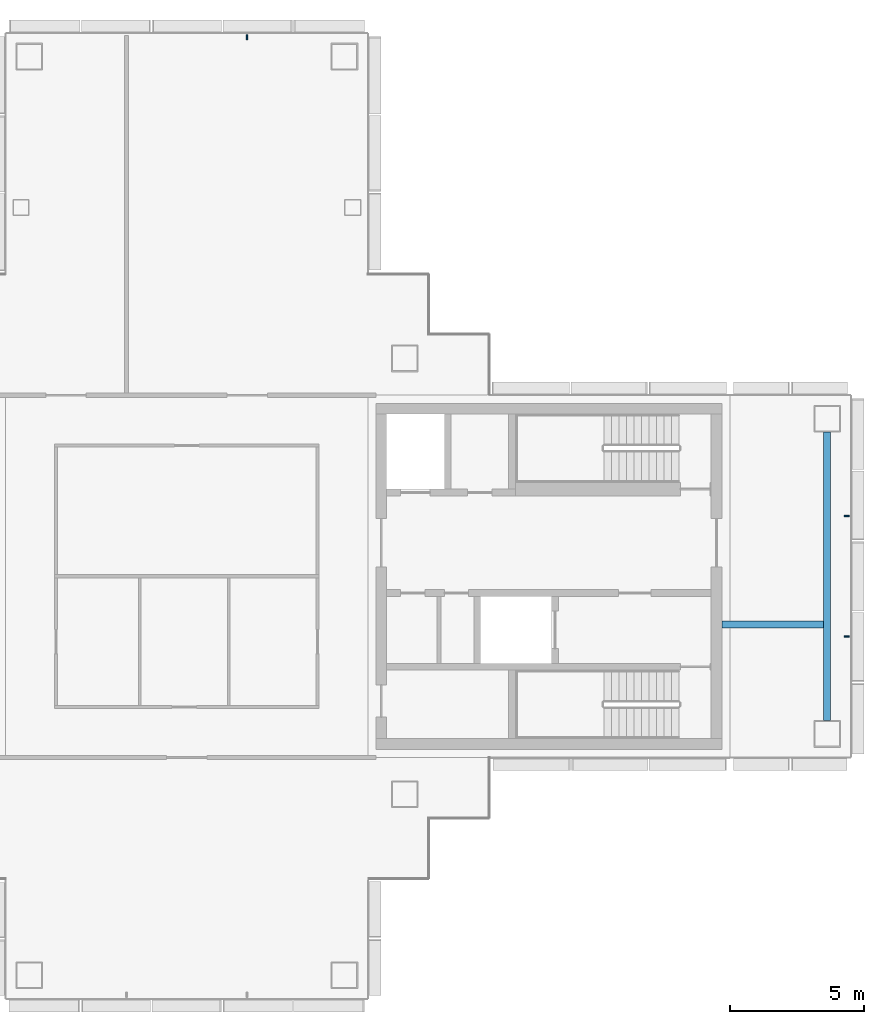
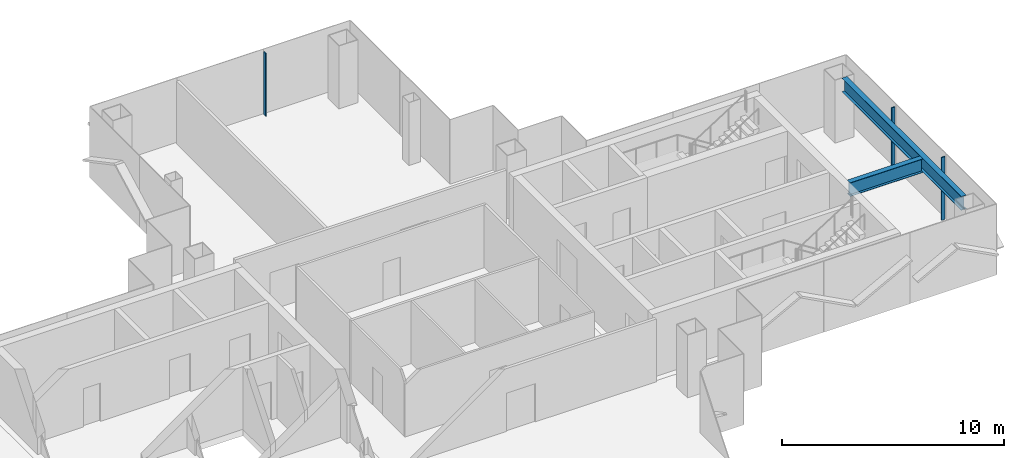
# One storey, part 6 of 17: 3 members, 2 beams, 2 elements without a shape of their own.
"""IFC4 building model written with IfcOpenShell, lengths in metres."""

from ifc_helpers import new_model, si_unit, direction, frame, origin, origin_2d, place, context, subcontext, project, spatial, rectangle, i_section, extrude, material, layer, layer_set, material_profile, profile_set, type_object, element, aggregate, save


model = new_model("IFC4")

# Units and contexts
model_context = context("Model", 3, precision=1e-05, world=origin(), true_north=direction((0.0, 1.0)))
body_context = subcontext(model_context, "Body", "Model", "MODEL_VIEW")
ifc_project = project(units=[si_unit("LENGTHUNIT", "METRE"), si_unit("AREAUNIT", "SQUARE_METRE"), si_unit("VOLUMEUNIT", "CUBIC_METRE"), si_unit("PLANEANGLEUNIT", "RADIAN"), si_unit("MASSUNIT", "GRAM", prefix="KILO")], contexts=[model_context])

# Site, building, storey
site_placement = place(None, origin())
site = spatial("IfcSite", under=ifc_project, at=site_placement, CompositionType="ELEMENT")
building_placement = place(site_placement, origin())
building = spatial("IfcBuilding", under=site, at=building_placement, Name="Shamsa Quay Exchange Towers", CompositionType="ELEMENT")
storey_placement = place(building_placement, frame((0.0, 0.0, 221.699951171875)))
storey = spatial("IfcBuildingStorey", under=building, at=storey_placement, Name="L53", CompositionType="ELEMENT", Elevation=221.699951171875)

# Curtain wall, members
ifc_material_1 = material(Name="Aluminium EN AW-6063 T6, black anodised", Category="aluminium")
ifc_layer = layer(ifc_material_1, 0.280029296875)
ifc_layer_set = layer_set([ifc_layer], Name="CW-1 UNITISED VISION GLASS")
curtain_wall_type = type_object("IfcCurtainWallType", Name="CW-1 UNITISED VISION GLASS", PredefinedType="NOTDEFINED", material=ifc_layer_set)
curtain_wall_1_placement = place(storey_placement, origin())
curtain_wall_1 = element("IfcCurtainWall", 1, at=curtain_wall_1_placement, inside=storey, type_object=curtain_wall_type, Name="CW1 T2-END-V- L53", PredefinedType="NOTDEFINED")
ifc_material_profile_1 = material_profile(ifc_material_1, rectangle(XDim=0.179931640625, YDim=0.06005859375, at=origin_2d()), Name="MU60x180")
ifc_profile_set_1 = profile_set([ifc_material_profile_1], Name="Aluminium EN AW-6063 T6, black anodised")
member_type = type_object("IfcMemberType", Name="CW1 MULLION 60x180", PredefinedType="MULLION", material=ifc_profile_set_1)
member_1_placement = place(storey_placement, frame((58.35009765625, -2.25, 0.0), z_axis=(0.0, 0.0, 1.0), x_axis=(-1.0, 0.0, 0.0)))
member_1 = element("IfcMember", 2, at=member_1_placement, type_object=member_type, Name="CW1 mullion", PredefinedType="MULLION", context=body_context, shape_type="SweptSolid", body=[
    extrude(rectangle(XDim=0.179931640625, YDim=0.06005859375, at=origin_2d()), origin(), (0.0, 0.0, 1.0), 3.449951171875),
])
member_2_placement = place(storey_placement, frame((58.35009765625, 2.25, 0.0), z_axis=(0.0, 0.0, 1.0), x_axis=(-1.0, 0.0, 0.0)))
member_2 = element("IfcMember", 3, at=member_2_placement, type_object=member_type, Name="CW1 mullion", PredefinedType="MULLION", context=body_context, shape_type="SweptSolid", body=[
    extrude(rectangle(XDim=0.179931640625, YDim=0.06005859375, at=origin_2d()), origin(), (0.0, 0.0, 1.0), 3.449951171875),
])
aggregate(curtain_wall_1, [member_1, member_2])

# Curtain wall, member
curtain_wall_2_placement = place(storey_placement, origin())
curtain_wall_2 = element("IfcCurtainWall", 4, at=curtain_wall_2_placement, inside=storey, type_object=curtain_wall_type, Name="CW1 T2-END-U+ L53", PredefinedType="NOTDEFINED")
member_3_placement = place(storey_placement, frame((36.0, 20.10009765625, 0.0), z_axis=(0.0, 0.0, 1.0), x_axis=(0.0, -1.0, 0.0)))
member_3 = element("IfcMember", 5, at=member_3_placement, type_object=member_type, Name="CW1 mullion", PredefinedType="MULLION", context=body_context, shape_type="SweptSolid", body=[
    extrude(rectangle(XDim=0.179931640625, YDim=0.06005859375, at=origin_2d()), origin(), (0.0, 0.0, 1.0), 3.449951171875),
])
aggregate(curtain_wall_2, [member_3])

# Beams
ifc_material_2 = material(Name="Steel S355", Category="steel")
ifc_material_profile_2 = material_profile(ifc_material_2, i_section(OverallWidth=0.26611328125, OverallDepth=0.7578125, WebThickness=0.013916015625, FlangeThickness=0.019287109375, at=origin_2d()), Name="W30x108")
ifc_profile_set_2 = profile_set([ifc_material_profile_2], Name="Steel S355")
beam_type = type_object("IfcBeamType", Name="End-zone beam W30x108", PredefinedType="BEAM", material=ifc_profile_set_2)
beam_1_placement = place(storey_placement, frame((57.625, -5.375, 3.0712890625), z_axis=(0.0, 1.0, 0.0), x_axis=(-1.0, 0.0, 0.0)))
element("IfcBeam", 6, at=beam_1_placement, inside=storey, type_object=beam_type, Name="End beam T2 V- end zone L53", PredefinedType="BEAM", context=body_context, shape_type="SweptSolid", body=[
    extrude(i_section(OverallWidth=0.26611328125, OverallDepth=0.7578125, WebThickness=0.013916015625, FlangeThickness=0.019287109375, at=origin_2d()), origin(), (0.0, 0.0, 1.0), 10.75),
])
beam_2_placement = place(storey_placement, frame((53.699951171875, -1.800048828125, 3.0712890625), z_axis=(1.0, 0.0, 0.0), x_axis=(0.0, 1.0, 0.0)))
element("IfcBeam", 7, at=beam_2_placement, inside=storey, type_object=beam_type, Name="Spine beam T2 V- end zone L53", PredefinedType="BEAM", context=body_context, shape_type="SweptSolid", body=[
    extrude(i_section(OverallWidth=0.26611328125, OverallDepth=0.7578125, WebThickness=0.013916015625, FlangeThickness=0.019287109375, at=origin_2d()), origin(), (0.0, 0.0, 1.0), 3.7919921875),
])

save(model, "model.ifc")
